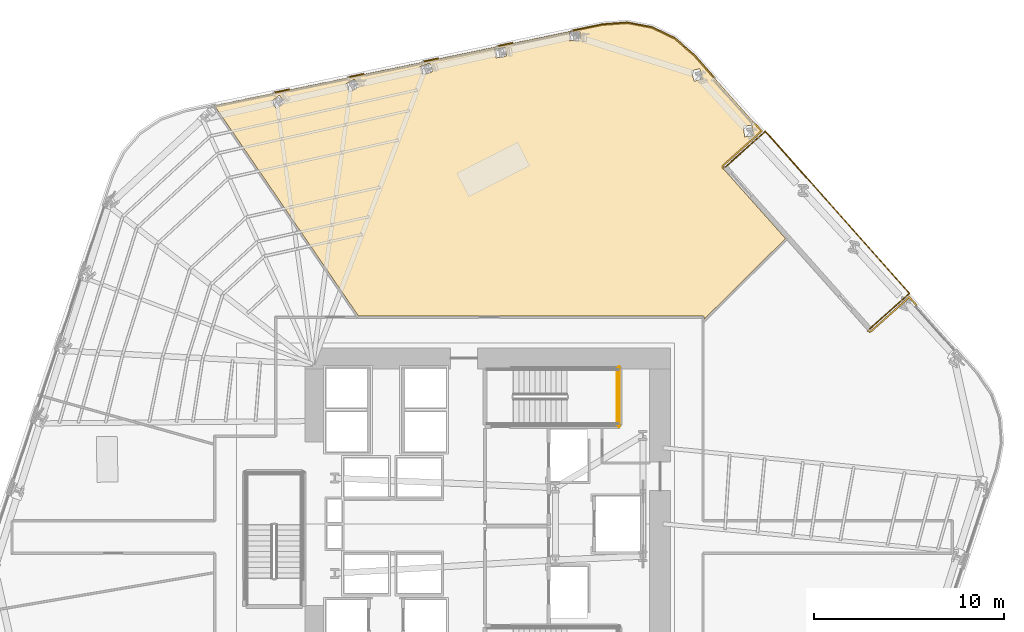
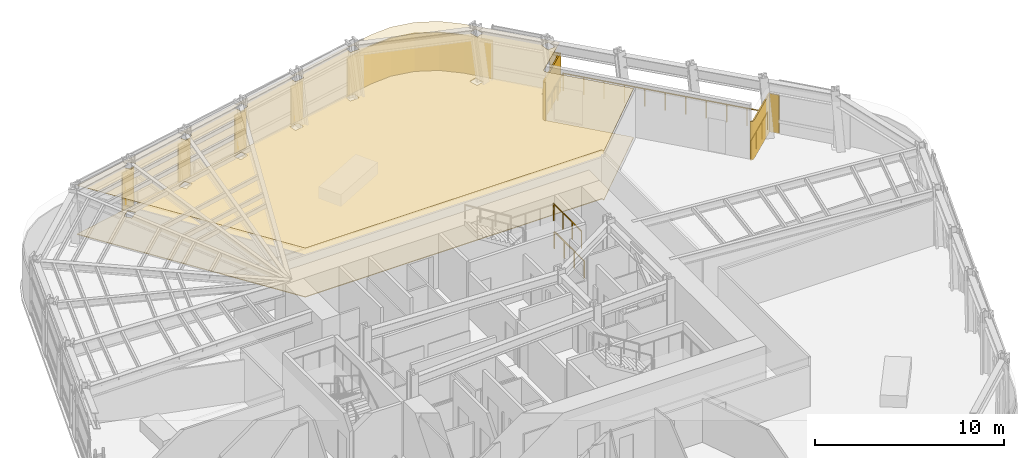
# One storey, part 16 of 17: 9 coverings, 5 railings.
"""IFC4 building model written with IfcOpenShell, lengths in metres."""

from ifc_helpers import new_model, si_unit, direction, frame, origin, origin_2d, place, context, subcontext, project, spatial, polyline, circle, outline, extrude, material, layer, layer_set, type_object, element, save


model = new_model("IFC4")

# Units and contexts
model_context = context("Model", 3, precision=1e-05, world=origin(), true_north=direction((0.0, 1.0)))
body_context = subcontext(model_context, "Body", "Model", "MODEL_VIEW")
ifc_project = project(units=[si_unit("LENGTHUNIT", "METRE"), si_unit("AREAUNIT", "SQUARE_METRE"), si_unit("VOLUMEUNIT", "CUBIC_METRE"), si_unit("PLANEANGLEUNIT", "RADIAN"), si_unit("MASSUNIT", "GRAM", prefix="KILO")], contexts=[model_context])

# Site, building, storey
site_placement = place(None, origin())
site = spatial("IfcSite", under=ifc_project, at=site_placement, CompositionType="ELEMENT")
building_placement = place(site_placement, origin())
building = spatial("IfcBuilding", under=site, at=building_placement, Name="Valkerne Bourse Tower", CompositionType="ELEMENT")
storey_placement = place(building_placement, frame((0.0, 0.0, 73.39990234375)))
storey = spatial("IfcBuildingStorey", under=building, at=storey_placement, Name="L18", CompositionType="ELEMENT", Elevation=73.39990234375)

# Coverings
ifc_material_1 = material(Name="Mineral Fiber Acoustic Ceiling Tile", Category="acoustic")
ifc_layer_1 = layer(ifc_material_1, 0.02490234375)
ifc_layer_set_1 = layer_set([ifc_layer_1], Name="Mineral Fiber Acoustic Ceiling Tile")
covering_type_1 = type_object("IfcCoveringType", Name="COV-CEIL-ACT", PredefinedType="CEILING", material=ifc_layer_set_1)
covering_1_placement = place(storey_placement, frame((0.0, 0.0, 3.170166015625)))
element("IfcCovering", 1, at=covering_1_placement, inside=storey, type_object=covering_type_1, Name="L18 Suspended Ceiling 09", PredefinedType="CEILING", context=body_context, shape_type="SweptSolid", body=[
    extrude(outline(polyline([(55.426513671875, 53.083984375), (56.614501953125, 52.509765625), (57.62060546875, 51.641357421875), (61.179931640625, 47.63916015625), (59.18505859375, 45.86181640625), (59.14599609375, 45.804443359375), (59.137451171875, 45.762939453125), (59.141357421875, 45.720703125), (59.173583984375, 45.6591796875), (62.442138671875, 41.990478515625), (58.168701171875, 37.755126953125), (58.1650390625, 37.873779296875), (58.140869140625, 37.906005859375), (58.1005859375, 37.9189453125), (40.002685546875, 37.9189453125), (32.426513671875, 48.994873046875), (52.804931640625, 53.234130859375), (54.13037109375, 53.331298828125), (55.426513671875, 53.083984375)]), holes=[polyline([(35.6875, 48.823486328125), (36.12451171875, 49.163818359375), (35.843994140625, 49.525146484375), (35.8408203125, 49.523681640625), (35.40380859375, 49.183349609375), (35.68408203125, 48.82177734375), (35.6875, 48.823486328125)]), polyline([(39.533935546875, 49.7021484375), (40.02001953125, 49.9677734375), (39.801513671875, 50.36962890625), (39.798095703125, 50.36865234375), (39.31201171875, 50.102783203125), (39.530517578125, 49.700927734375), (39.533935546875, 49.7021484375)]), polyline([(43.906005859375, 50.77197265625), (43.756591796875, 51.20458984375), (43.753173828125, 51.2041015625), (43.22998046875, 51.022216796875), (43.379150390625, 50.58984375), (43.382568359375, 50.59033203125), (43.906005859375, 50.77197265625)]), polyline([(47.783203125, 51.5810546875), (47.70556640625, 52.031982421875), (47.701904296875, 52.031982421875), (47.15625, 51.936767578125), (47.234130859375, 51.486083984375), (47.23779296875, 51.48583984375), (47.783203125, 51.5810546875)]), polyline([(51.655029296875, 52.398193359375), (51.645263671875, 52.855712890625), (51.6416015625, 52.856201171875), (51.08837890625, 52.843505859375), (51.097900390625, 52.385986328125), (51.1015625, 52.38525390625), (51.655029296875, 52.398193359375)]), polyline([(60.675048828125, 47.9501953125), (60.672119140625, 47.9521484375), (60.22021484375, 47.888427734375), (60.294677734375, 47.338134765625), (60.297607421875, 47.336181640625), (60.74951171875, 47.39990234375), (60.675048828125, 47.9501953125)]), polyline([(58.08544921875, 50.39013671875), (57.929931640625, 50.923095703125), (57.926513671875, 50.9248046875), (57.489501953125, 50.79443359375), (57.64501953125, 50.261474609375), (57.6484375, 50.260009765625), (58.08544921875, 50.39013671875)])]), origin(), (0.0, 0.0, 1.0), 0.02490234375),
])
ifc_material_2 = material(Name="Bronze Anodised Aluminium AA 6063-T6", Category="aluminium")
ifc_layer_2 = layer(ifc_material_2, 0.06005859375)
ifc_layer_set_2 = layer_set([ifc_layer_2], Name="Bronze Anodised Aluminium AA 6063-T6")
covering_type_2 = type_object("IfcCoveringType", Name="COV-CRN-ALUM", PredefinedType="CLADDING", material=ifc_layer_set_2)
covering_2_placement = place(storey_placement, origin())
element("IfcCovering", 2, at=covering_2_placement, inside=storey, type_object=covering_type_2, Name="L18 Wind-Shaped Corner Aluminium Cladding 22", PredefinedType="CLADDING", context=body_context, shape_type="SweptSolid", body=[
    extrude(outline(polyline([(36.37353515625, 49.86083984375), (36.3896484375, 49.782470703125), (35.5673828125, 49.611328125), (35.551025390625, 49.689697265625), (36.37353515625, 49.86083984375)])), origin(), (0.0, 0.0, 1.0), 2.5),
])
covering_3_placement = place(storey_placement, origin())
element("IfcCovering", 3, at=covering_3_placement, inside=storey, type_object=covering_type_2, Name="L18 Wind-Shaped Corner Aluminium Cladding 23", PredefinedType="CLADDING", context=body_context, shape_type="SweptSolid", body=[
    extrude(outline(polyline([(40.28564453125, 50.674560546875), (40.302001953125, 50.59619140625), (39.4794921875, 50.42529296875), (39.46337890625, 50.503662109375), (40.28564453125, 50.674560546875)])), origin(), (0.0, 0.0, 1.0), 2.5),
])
covering_4_placement = place(storey_placement, origin())
element("IfcCovering", 4, at=covering_4_placement, inside=storey, type_object=covering_type_2, Name="L18 Wind-Shaped Corner Aluminium Cladding 24", PredefinedType="CLADDING", context=body_context, shape_type="SweptSolid", body=[
    extrude(outline(polyline([(44.197998046875, 51.488525390625), (44.214111328125, 51.41015625), (43.391845703125, 51.239013671875), (43.375732421875, 51.3173828125), (44.197998046875, 51.488525390625)])), origin(), (0.0, 0.0, 1.0), 2.5),
])
covering_5_placement = place(storey_placement, origin())
element("IfcCovering", 5, at=covering_5_placement, inside=storey, type_object=covering_type_2, Name="L18 Wind-Shaped Corner Aluminium Cladding 25", PredefinedType="CLADDING", context=body_context, shape_type="SweptSolid", body=[
    extrude(outline(polyline([(48.110107421875, 52.302490234375), (48.12646484375, 52.22412109375), (47.303955078125, 52.052978515625), (47.287841796875, 52.13134765625), (48.110107421875, 52.302490234375)])), origin(), (0.0, 0.0, 1.0), 2.5),
])
covering_6_placement = place(storey_placement, origin())
element("IfcCovering", 6, at=covering_6_placement, inside=storey, type_object=covering_type_2, Name="L18 Wind-Shaped Corner Aluminium Cladding 26", PredefinedType="CLADDING", context=body_context, shape_type="SweptSolid", body=[
    extrude(outline(polyline([(52.798828125, 53.27783203125), (54.1328125, 53.375732421875), (55.4404296875, 53.126220703125), (56.638916015625, 52.546875), (57.651611328125, 51.6728515625), (58.73681640625, 50.45263671875), (58.677001953125, 50.3994140625), (57.59521484375, 51.61572265625), (56.594482421875, 52.4794921875), (55.4150390625, 53.049560546875), (54.128173828125, 53.295166015625), (52.809814453125, 53.198486328125), (51.21630859375, 52.86669921875), (51.2001953125, 52.9453125), (52.798828125, 53.27783203125)])), origin(), (0.0, 0.0, 1.0), 2.5),
])
covering_7_placement = place(storey_placement, origin())
element("IfcCovering", 7, at=covering_7_placement, inside=storey, type_object=covering_type_2, Name="L18 Wind-Shaped Corner Aluminium Cladding 27", PredefinedType="CLADDING", context=body_context, shape_type="SweptSolid", body=[
    extrude(outline(polyline([(61.2421875, 47.635498046875), (59.21484375, 45.829345703125), (59.207763671875, 45.822509765625), (59.201416015625, 45.814697265625), (59.196044921875, 45.806640625), (59.19140625, 45.798095703125), (59.1875, 45.7890625), (59.1845703125, 45.77978515625), (59.1826171875, 45.77001953125), (59.181396484375, 45.760498046875), (59.181396484375, 45.75048828125), (59.182373046875, 45.74072265625), (59.18408203125, 45.731201171875), (59.18701171875, 45.7216796875), (59.1904296875, 45.712646484375), (59.195068359375, 45.703857421875), (59.200439453125, 45.69580078125), (59.20654296875, 45.68798828125), (59.14697265625, 45.635009765625), (59.1357421875, 45.648681640625), (59.126220703125, 45.663330078125), (59.117919921875, 45.678955078125), (59.111328125, 45.6953125), (59.106201171875, 45.71240234375), (59.10302734375, 45.729736328125), (59.101318359375, 45.747314453125), (59.1015625, 45.764892578125), (59.103515625, 45.782470703125), (59.107177734375, 45.7998046875), (59.1123046875, 45.816650390625), (59.119140625, 45.8330078125), (59.127685546875, 45.848388671875), (59.1376953125, 45.863037109375), (59.14892578125, 45.876708984375), (59.16162109375, 45.888916015625), (61.129150390625, 47.64208984375), (60.7744140625, 48.041259765625), (60.833984375, 48.094482421875), (61.2421875, 47.635498046875)])), origin(), (0.0, 0.0, 1.0), 2.5),
])
covering_8_placement = place(storey_placement, origin())
element("IfcCovering", 8, at=covering_8_placement, inside=storey, type_object=covering_type_2, Name="L18 Wind-Shaped Corner Aluminium Cladding 28", PredefinedType="CLADDING", context=body_context, shape_type="SweptSolid", body=[
    extrude(outline(polyline([(66.797119140625, 37.16943359375), (66.8046875, 37.1630859375), (66.812744140625, 37.15771484375), (66.8212890625, 37.15283203125), (66.830322265625, 37.14892578125), (66.83984375, 37.14599609375), (66.849365234375, 37.14404296875), (66.859130859375, 37.14306640625), (66.868896484375, 37.14306640625), (66.878662109375, 37.143798828125), (66.888427734375, 37.145751953125), (66.897705078125, 37.1484375), (66.906982421875, 37.152099609375), (66.91552734375, 37.15673828125), (66.923828125, 37.162109375), (66.931396484375, 37.168212890625), (68.950927734375, 38.9677734375), (69.359130859375, 38.5087890625), (69.29931640625, 38.45556640625), (68.9443359375, 38.854736328125), (66.984619140625, 37.1083984375), (66.970947265625, 37.097412109375), (66.9560546875, 37.087646484375), (66.9404296875, 37.07958984375), (66.924072265625, 37.072998046875), (66.9072265625, 37.06787109375), (66.889892578125, 37.064697265625), (66.872314453125, 37.06298828125), (66.8544921875, 37.063232421875), (66.8369140625, 37.065185546875), (66.819580078125, 37.068603515625), (66.802734375, 37.073974609375), (66.78662109375, 37.080810546875), (66.77099609375, 37.08935546875), (66.75634765625, 37.09912109375), (66.742919921875, 37.110595703125), (66.73046875, 37.123291015625), (66.790283203125, 37.176513671875), (66.797119140625, 37.16943359375)])), origin(), (0.0, 0.0, 1.0), 2.5),
])
ifc_material_3 = material(Name="Galvanised Painted Steel", Category="steel")
ifc_layer_3 = layer(ifc_material_3, 0.044921875)
ifc_layer_set_3 = layer_set([ifc_layer_3], Name="Galvanised Painted Steel")
covering_type_3 = type_object("IfcCoveringType", Name="COV-FLR-RAF", PredefinedType="FLOORING", material=ifc_layer_set_3)
covering_9_placement = place(storey_placement, origin())
element("IfcCovering", 9, at=covering_9_placement, inside=storey, type_object=covering_type_3, Name="L18 Floor Finish 09", PredefinedType="FLOORING", context=body_context, shape_type="SweptSolid", body=[
    extrude(outline(polyline([(55.426513671875, 53.083984375), (56.614501953125, 52.509765625), (57.62060546875, 51.641357421875), (61.179931640625, 47.63916015625), (59.18505859375, 45.86181640625), (59.14599609375, 45.804443359375), (59.137451171875, 45.762939453125), (59.141357421875, 45.720703125), (59.173583984375, 45.6591796875), (62.442138671875, 41.990478515625), (58.168701171875, 37.755126953125), (58.1650390625, 37.873779296875), (58.140869140625, 37.906005859375), (58.1005859375, 37.9189453125), (40.002685546875, 37.9189453125), (32.426513671875, 48.994873046875), (52.804931640625, 53.234130859375), (54.13037109375, 53.331298828125), (55.426513671875, 53.083984375)]), holes=[polyline([(35.6875, 48.823486328125), (36.12451171875, 49.163818359375), (35.843994140625, 49.525146484375), (35.8408203125, 49.523681640625), (35.40380859375, 49.183349609375), (35.68408203125, 48.82177734375), (35.6875, 48.823486328125)]), polyline([(39.533935546875, 49.7021484375), (40.02001953125, 49.9677734375), (39.801513671875, 50.36962890625), (39.798095703125, 50.36865234375), (39.31201171875, 50.102783203125), (39.530517578125, 49.700927734375), (39.533935546875, 49.7021484375)]), polyline([(43.906005859375, 50.77197265625), (43.756591796875, 51.20458984375), (43.753173828125, 51.2041015625), (43.22998046875, 51.022216796875), (43.379150390625, 50.58984375), (43.382568359375, 50.59033203125), (43.906005859375, 50.77197265625)]), polyline([(47.783203125, 51.5810546875), (47.70556640625, 52.031982421875), (47.701904296875, 52.031982421875), (47.15625, 51.936767578125), (47.234130859375, 51.486083984375), (47.23779296875, 51.48583984375), (47.783203125, 51.5810546875)]), polyline([(51.655029296875, 52.398193359375), (51.645263671875, 52.855712890625), (51.6416015625, 52.856201171875), (51.08837890625, 52.843505859375), (51.097900390625, 52.385986328125), (51.1015625, 52.38525390625), (51.655029296875, 52.398193359375)]), polyline([(60.675048828125, 47.9501953125), (60.672119140625, 47.9521484375), (60.22021484375, 47.888427734375), (60.294677734375, 47.338134765625), (60.297607421875, 47.336181640625), (60.74951171875, 47.39990234375), (60.675048828125, 47.9501953125)]), polyline([(58.08544921875, 50.39013671875), (57.929931640625, 50.923095703125), (57.926513671875, 50.9248046875), (57.489501953125, 50.79443359375), (57.64501953125, 50.261474609375), (57.6484375, 50.260009765625), (58.08544921875, 50.39013671875)])]), origin(), (0.0, 0.0, 1.0), 0.045166015625),
])

# Railings
ifc_material_4 = material(Name="Laminated Tempered Safety Glass", Category="glass")
railing_type_1 = type_object("IfcRailingType", Name="RLG-GUARD-1150", PredefinedType="BALUSTRADE", material=ifc_material_4)
railing_1_placement = place(storey_placement, frame((68.959228515625, 39.10888671875, 0.0)))
element("IfcRailing", 10, at=railing_1_placement, inside=storey, type_object=railing_type_1, Name="L18 V-Notch Terrace Glass Balustrade 1", PredefinedType="BALUSTRADE", context=body_context, shape_type="SweptSolid", body=[
    extrude(circle(Radius=0.02392578125, at=origin_2d()), frame((0.0, 0.0, 1.1259765625), z_axis=(-0.746626043421, -0.665243978767, 0.0), x_axis=(0.665243978767, -0.746626043421, 0.0)), (0.0, 0.0, 1.0), 2.804931640625),
    extrude(circle(Radius=0.02099609375, at=origin_2d()), origin(), (0.0, 0.0, 1.0), 1.101806640625),
    extrude(circle(Radius=0.02099609375, at=origin_2d()), frame((-0.697998046875, -0.6220703125, 0.0)), (0.0, 0.0, 1.0), 1.101806640625),
    extrude(circle(Radius=0.02099609375, at=origin_2d()), frame((-1.396240234375, -1.243896484375, 0.0)), (0.0, 0.0, 1.0), 1.101806640625),
    extrude(circle(Radius=0.02099609375, at=origin_2d()), frame((-2.09423828125, -1.865966796875, 0.0)), (0.0, 0.0, 1.0), 1.101806640625),
])
railing_2_placement = place(storey_placement, frame((59.28125, 45.754638671875, 0.0)))
element("IfcRailing", 11, at=railing_2_placement, inside=storey, type_object=railing_type_1, Name="L18 V-Notch Terrace Glass Balustrade 2", PredefinedType="BALUSTRADE", context=body_context, shape_type="SweptSolid", body=[
    extrude(circle(Radius=0.02392578125, at=origin_2d()), frame((0.0, 0.0, 1.1259765625), z_axis=(0.74664809629, 0.665219227252, 0.0), x_axis=(-0.665219227252, 0.74664809629, 0.0)), (0.0, 0.0, 1.0), 2.8154296875),
    extrude(circle(Radius=0.02099609375, at=origin_2d()), origin(), (0.0, 0.0, 1.0), 1.101806640625),
    extrude(circle(Radius=0.02099609375, at=origin_2d()), frame((0.70068359375, 0.624267578125, 0.0)), (0.0, 0.0, 1.0), 1.101806640625),
    extrude(circle(Radius=0.02099609375, at=origin_2d()), frame((1.4013671875, 1.24853515625, 0.0)), (0.0, 0.0, 1.0), 1.101806640625),
    extrude(circle(Radius=0.02099609375, at=origin_2d()), frame((2.10205078125, 1.872802734375, 0.0)), (0.0, 0.0, 1.0), 1.101806640625),
])
railing_3_placement = place(storey_placement, frame((61.38330078125, 47.62744140625, 0.0)))
element("IfcRailing", 12, at=railing_3_placement, inside=storey, type_object=railing_type_1, Name="L18 V-Notch Terrace Glass Balustrade 3", PredefinedType="BALUSTRADE", context=body_context, shape_type="SweptSolid", body=[
    extrude(circle(Radius=0.02392578125, at=origin_2d()), frame((0.0, 0.0, 1.1259765625), z_axis=(0.664553901092, -0.747240331181, 0.0), x_axis=(0.747240331181, 0.664553901092, 0.0)), (0.0, 0.0, 1.0), 11.39990234375),
    extrude(circle(Radius=0.02099609375, at=origin_2d()), origin(), (0.0, 0.0, 1.0), 1.101806640625),
    extrude(circle(Radius=0.02099609375, at=origin_2d()), frame((0.757568359375, -0.851806640625, 0.0)), (0.0, 0.0, 1.0), 1.101806640625),
    extrude(circle(Radius=0.02099609375, at=origin_2d()), frame((1.51513671875, -1.70361328125, 0.0)), (0.0, 0.0, 1.0), 1.101806640625),
    extrude(circle(Radius=0.02099609375, at=origin_2d()), frame((2.272705078125, -2.5556640625, 0.0)), (0.0, 0.0, 1.0), 1.101806640625),
    extrude(circle(Radius=0.02099609375, at=origin_2d()), frame((3.0302734375, -3.407470703125, 0.0)), (0.0, 0.0, 1.0), 1.101806640625),
    extrude(circle(Radius=0.02099609375, at=origin_2d()), frame((3.7880859375, -4.25927734375, 0.0)), (0.0, 0.0, 1.0), 1.101806640625),
    extrude(circle(Radius=0.02099609375, at=origin_2d()), frame((4.545654296875, -5.111083984375, 0.0)), (0.0, 0.0, 1.0), 1.101806640625),
    extrude(circle(Radius=0.02099609375, at=origin_2d()), frame((5.30322265625, -5.962890625, 0.0)), (0.0, 0.0, 1.0), 1.101806640625),
    extrude(circle(Radius=0.02099609375, at=origin_2d()), frame((6.060791015625, -6.81494140625, 0.0)), (0.0, 0.0, 1.0), 1.101806640625),
    extrude(circle(Radius=0.02099609375, at=origin_2d()), frame((6.818359375, -7.666748046875, 0.0)), (0.0, 0.0, 1.0), 1.101806640625),
    extrude(circle(Radius=0.02099609375, at=origin_2d()), frame((7.575927734375, -8.5185546875, 0.0)), (0.0, 0.0, 1.0), 1.101806640625),
])
railing_type_2 = type_object("IfcRailingType", Name="RLG-ST-GUARD-1120", PredefinedType="GUARDRAIL", material=ifc_material_3)
railing_4_placement = place(storey_placement, frame((53.60009765625, 32.199951171875, 1.900146484375)))
element("IfcRailing", 13, at=railing_4_placement, inside=storey, type_object=railing_type_2, Name="L18 ST-2 stair guard 5", PredefinedType="GUARDRAIL", context=body_context, shape_type="SweptSolid", body=[
    extrude(circle(Radius=0.02392578125, at=origin_2d()), frame((0.0, 0.0, 1.09619140625), z_axis=(0.0, 1.0, 0.0), x_axis=(-1.0, 0.0, 0.0)), (0.0, 0.0, 1.0), 2.949951171875),
    extrude(circle(Radius=0.02099609375, at=origin_2d()), origin(), (0.0, 0.0, 1.0), 1.072021484375),
    extrude(circle(Radius=0.02099609375, at=origin_2d()), frame((0.0, 0.9833984375, 0.0)), (0.0, 0.0, 1.0), 1.072021484375),
    extrude(circle(Radius=0.02099609375, at=origin_2d()), frame((0.0, 1.966552734375, 0.0)), (0.0, 0.0, 1.0), 1.072021484375),
    extrude(circle(Radius=0.02099609375, at=origin_2d()), frame((0.0, 2.949951171875, 0.0)), (0.0, 0.0, 1.0), 1.072021484375),
])
railing_5_placement = place(storey_placement, frame((53.699951171875, 32.10009765625, 0.0)))
element("IfcRailing", 14, at=railing_5_placement, inside=storey, type_object=railing_type_2, Name="L18 ST-2 stair guard 12", PredefinedType="GUARDRAIL", context=body_context, shape_type="SweptSolid", body=[
    extrude(circle(Radius=0.02392578125, at=origin_2d()), frame((0.0, 0.0, 1.09619140625), z_axis=(0.0, 1.0, 0.0), x_axis=(-1.0, 0.0, 0.0)), (0.0, 0.0, 1.0), 3.14990234375),
    extrude(circle(Radius=0.02099609375, at=origin_2d()), origin(), (0.0, 0.0, 1.0), 1.072021484375),
    extrude(circle(Radius=0.02099609375, at=origin_2d()), frame((0.0, 1.050048828125, 0.0)), (0.0, 0.0, 1.0), 1.072021484375),
    extrude(circle(Radius=0.02099609375, at=origin_2d()), frame((0.0, 2.099853515625, 0.0)), (0.0, 0.0, 1.0), 1.072021484375),
    extrude(circle(Radius=0.02099609375, at=origin_2d()), frame((0.0, 3.14990234375, 0.0)), (0.0, 0.0, 1.0), 1.072021484375),
])

save(model, "model.ifc")
